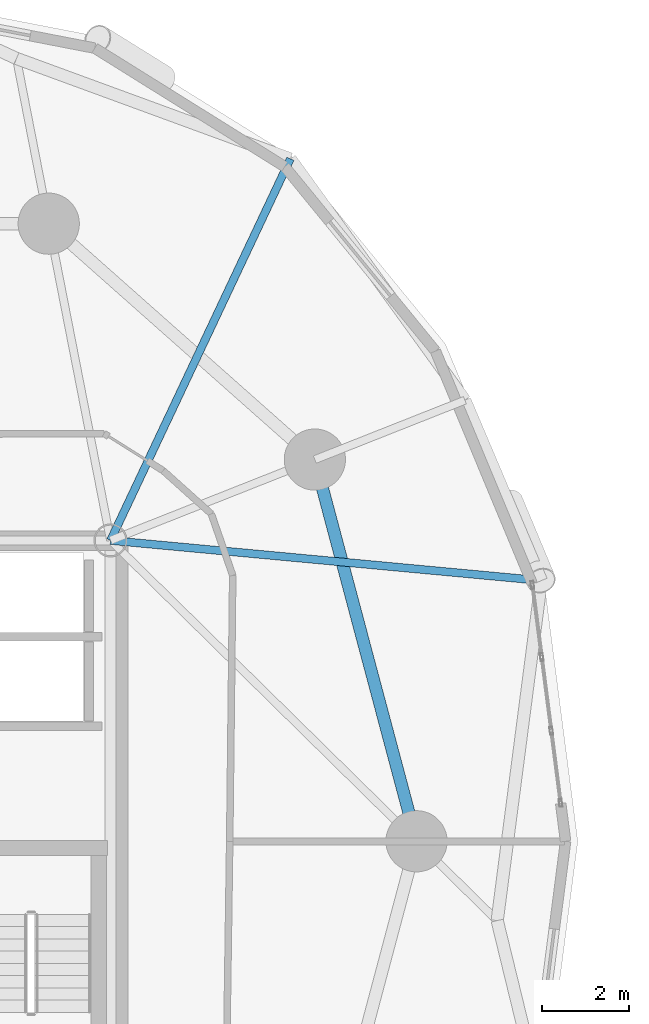
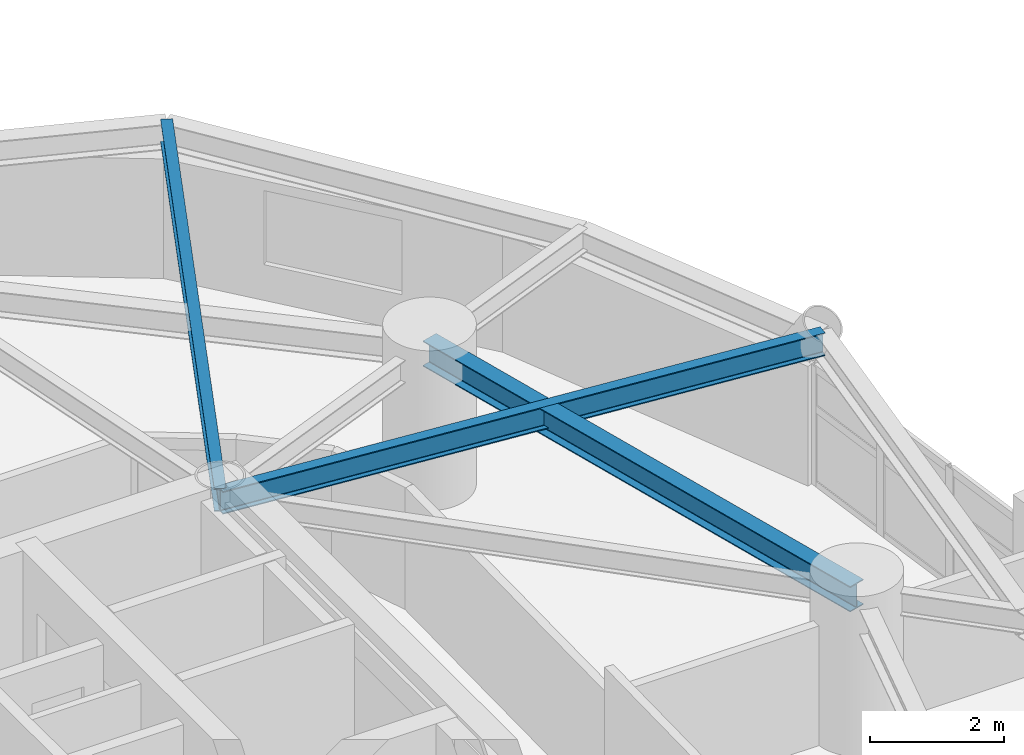
# One storey, part 3 of 16: 3 beams.
"""IFC4 building model written with IfcOpenShell, lengths in metres."""

import ifcopenshell
import ifcopenshell.guid

model = None  # the IFC model being written
_history = None  # IfcOwnerHistory: only IFC2X3 demands one
_inside = {}  # id of a spatial element -> (the spatial element, [elements in it])
_under = {}  # id of a project, library or spatial element -> (it, [spatial elements below it])
_declared = {}  # id of a project -> (the project, [libraries it declares])
_typed = {}  # id of a type object -> (the type object, [elements of that type])
_made_of = {}  # id of a material, layer set ... -> (it, [elements and type objects made of it])


def new_model(schema):
    """Start an empty IFC model of exactly this schema.

    Asked for "IFC4X3", IfcOpenShell would pick the latest addendum, in which some entities
    have other attributes; the version numbers below select the first issue.
    IFC2X3 requires an IfcOwnerHistory on every rooted entity: one is made here for all.
    """
    global model, _history
    if schema == "IFC4X3":
        model = ifcopenshell.file(schema_version=(4, 3, 0, 0))
    else:
        model = ifcopenshell.file(schema=schema)
    _inside.clear()
    _under.clear()
    _declared.clear()
    _typed.clear()
    _made_of.clear()
    _history = None
    if model.schema == "IFC2X3":
        org = make("IfcOrganization", Name="unknown")
        user = make(
            "IfcPersonAndOrganization",
            ThePerson=make("IfcPerson", FamilyName="unknown"),
            TheOrganization=org,
        )
        app = make(
            "IfcApplication",
            ApplicationDeveloper=org,
            Version="unknown",
            ApplicationFullName="unknown",
            ApplicationIdentifier="unknown",
        )
        _history = make(
            "IfcOwnerHistory",
            OwningUser=user,
            OwningApplication=app,
            ChangeAction="ADDED",
            CreationDate=0,
        )
    return model


def make(cls, **values):
    """One entity of the class cls with the attributes given. An attribute that is None is left unset."""
    return model.create_entity(
        cls, **{name: value for name, value in values.items() if value is not None}
    )


def rooted(cls, **values):
    """An entity with a GlobalId (a new one), such as an element, a storey or a relation."""
    return make(cls, GlobalId=ifcopenshell.guid.new(), OwnerHistory=_history, **values)


def si_unit(unit_type, name, prefix=None):
    """IfcSIUnit, for example si_unit("LENGTHUNIT", "METRE", prefix="MILLI")."""
    return make("IfcSIUnit", UnitType=unit_type, Prefix=prefix, Name=name)


def assignment(units):
    """IfcUnitAssignment: the units of a project."""
    return None if units is None else make("IfcUnitAssignment", Units=units)


def point(xyz):
    """IfcCartesianPoint."""
    return None if xyz is None else make("IfcCartesianPoint", Coordinates=xyz)


def direction(xyz):
    """IfcDirection."""
    return None if xyz is None else make("IfcDirection", DirectionRatios=xyz)


def frame(location, z_axis=None, x_axis=None):
    """IfcAxis2Placement3D, a coordinate frame: its origin and axes. An axis left out is left unset."""
    return make(
        "IfcAxis2Placement3D",
        Location=point(location),
        Axis=direction(z_axis),
        RefDirection=direction(x_axis),
    )


def frame_2d(location, x_axis=None):
    """IfcAxis2Placement2D, a coordinate frame in the plane: its origin and x axis."""
    return make(
        "IfcAxis2Placement2D", Location=point(location), RefDirection=direction(x_axis)
    )


def origin():
    """The frame at (0, 0, 0) with its axes left unset."""
    return frame((0.0, 0.0, 0.0))


def origin_2d():
    """The frame at (0, 0) in the plane with its x axis left unset."""
    return frame_2d((0.0, 0.0))


def place(relative_to, where):
    """IfcLocalPlacement: puts the frame where relative to a parent placement (None: the world)."""
    return make(
        "IfcLocalPlacement", PlacementRelTo=relative_to, RelativePlacement=where
    )


def context(
    kind, dimensions, precision=None, world=None, true_north=None, identifier=None
):
    """IfcGeometricRepresentationContext, for example the 3D "Model" context."""
    return make(
        "IfcGeometricRepresentationContext",
        ContextIdentifier=identifier,
        ContextType=kind,
        CoordinateSpaceDimension=dimensions,
        Precision=precision,
        WorldCoordinateSystem=world,
        TrueNorth=true_north,
    )


def subcontext(parent, identifier, kind, view, scale=None):
    """IfcGeometricRepresentationSubContext, for example "Body" below "Model"."""
    return make(
        "IfcGeometricRepresentationSubContext",
        ContextIdentifier=identifier,
        ContextType=kind,
        ParentContext=parent,
        TargetScale=scale,
        TargetView=view,
    )


def project(units=None, contexts=None):
    """IfcProject with its units and contexts."""
    return rooted(
        "IfcProject",
        Name="project",
        RepresentationContexts=contexts,
        UnitsInContext=assignment(units),
    )


def spatial(cls, under=None, at=None, **own):
    """A site, building, storey or space (cls), placed at a placement, below another one or the project."""
    s = rooted(cls, ObjectPlacement=at, **own)
    if under is not None:
        _under.setdefault(under.id(), (under, []))[1].append(s)
    return s


def profile(cls, at=None, kind="AREA", **sizes):
    """A parametric profile (cls). Its sizes go by their IFC names, for example OverallWidth=200.0."""
    return make(cls, ProfileType=kind, Position=at, **sizes)


def i_section(**sizes):
    """IfcIShapeProfileDef."""
    return profile("IfcIShapeProfileDef", **sizes)


def extrude(swept, where, along, depth):
    """IfcExtrudedAreaSolid: the profile swept, set in the frame where, extruded along a direction by depth."""
    return make(
        "IfcExtrudedAreaSolid",
        SweptArea=swept,
        Position=where,
        ExtrudedDirection=direction(along),
        Depth=depth,
    )


def shape(context_of_items, identifier, shape_type, items):
    """IfcShapeRepresentation: the items that make up one representation, for example the "Body"."""
    return make(
        "IfcShapeRepresentation",
        ContextOfItems=context_of_items,
        RepresentationIdentifier=identifier,
        RepresentationType=shape_type,
        Items=items,
    )


def material(Name=None, Category=None):
    """IfcMaterial."""
    return make("IfcMaterial", Name=Name, Category=Category)


def material_profile(
    of_material, cross_section, Name=None, Category=None, Priority=None
):
    """IfcMaterialProfile: a cross section and its material."""
    return make(
        "IfcMaterialProfile",
        Name=Name,
        Material=of_material,
        Profile=cross_section,
        Priority=Priority,
        Category=Category,
    )


def profile_set(profiles, Name=None, composite=None):
    """IfcMaterialProfileSet."""
    return make(
        "IfcMaterialProfileSet",
        Name=Name,
        MaterialProfiles=profiles,
        CompositeProfile=composite,
    )


def made_of(thing, what):
    """Note that an element or type object is made of a material, layer set ...; save() writes the relation."""
    if what is not None:
        _made_of.setdefault(what.id(), (what, []))[1].append(thing)
    return thing


def type_object(cls, material=None, **own):
    """A type object (cls), such as IfcWallType, which elements share."""
    return made_of(rooted(cls, **own), material)


def element(
    cls,
    number,
    at=None,
    inside=None,
    cuts=None,
    type_object=None,
    material=None,
    context=None,
    identifier="Body",
    shape_type=None,
    held_by="IfcProductDefinitionShape",
    body=None,
    shapes=None,
    **own,
):
    """One element of the class cls, such as IfcWall. Its Tag is "e" and its number.

    at: its placement. inside: the storey or other place that contains it. cuts: it is an
    opening in that element (IfcRelVoidsElement). A single representation is given by context,
    identifier, shape_type and body (its items); several are given by shapes. held_by: the class
    of the entity that holds the representations. save() writes the other relations.
    """
    e = rooted(cls, Tag="e%d" % number, ObjectPlacement=at, **own)
    if body is not None:
        shapes = [shape(context, identifier, shape_type, body)]
    if shapes is not None:
        e.Representation = make(held_by, Representations=shapes)
    if inside is not None:
        _inside.setdefault(inside.id(), (inside, []))[1].append(e)
    if cuts is not None:
        rooted(
            "IfcRelVoidsElement", RelatingBuildingElement=cuts, RelatedOpeningElement=e
        )
    if type_object is not None:
        _typed.setdefault(type_object.id(), (type_object, []))[1].append(e)
    return made_of(e, material)


def aggregate(whole, parts):
    """IfcRelAggregates: a whole, such as a stair, and the parts it consists of."""
    return rooted("IfcRelAggregates", RelatingObject=whole, RelatedObjects=parts)


def save(model, path):
    """Write the relations noted so far, then the file.

    IfcRelAggregates (storeys below a building ...), IfcRelContainedInSpatialStructure (elements
    in a storey), IfcRelDefinesByType, IfcRelAssociatesMaterial and IfcRelDeclares: one each for
    every whole, place, type object, material and project.
    """
    for whole, parts in _under.values():
        aggregate(whole, parts)
    for where, things in _inside.values():
        rooted(
            "IfcRelContainedInSpatialStructure",
            RelatedElements=things,
            RelatingStructure=where,
        )
    for kind, things in _typed.values():
        rooted("IfcRelDefinesByType", RelatedObjects=things, RelatingType=kind)
    for what, things in _made_of.values():
        rooted("IfcRelAssociatesMaterial", RelatedObjects=things, RelatingMaterial=what)
    for by, libraries in _declared.values():
        rooted("IfcRelDeclares", RelatingContext=by, RelatedDefinitions=libraries)
    model.write(path)


model = new_model("IFC4")

# Units and contexts
model_context = context("Model", 3, precision=1e-05, world=origin(), true_north=direction((0.0, 1.0)))
body_context = subcontext(model_context, "Body", "Model", "MODEL_VIEW")
ifc_project = project(units=[si_unit("LENGTHUNIT", "METRE"), si_unit("AREAUNIT", "SQUARE_METRE"), si_unit("VOLUMEUNIT", "CUBIC_METRE"), si_unit("PLANEANGLEUNIT", "RADIAN"), si_unit("MASSUNIT", "GRAM", prefix="KILO")], contexts=[model_context])

# Site, building, storey
site_placement = place(None, origin())
site = spatial("IfcSite", under=ifc_project, at=site_placement, CompositionType="ELEMENT")
building_placement = place(site_placement, origin())
building = spatial("IfcBuilding", under=site, at=building_placement, Name="Cununo Teusaquillo Station Towers", CompositionType="ELEMENT")
storey_placement = place(building_placement, frame((0.0, 0.0, 73.06005859375)))
storey = spatial("IfcBuildingStorey", under=building, at=storey_placement, Name="L22", CompositionType="ELEMENT", Elevation=73.06005859375)

# Beams
ifc_material_1 = material(Name="Steel ASTM A572 Grade 50", Category="steel")
ifc_material_profile_1 = material_profile(ifc_material_1, i_section(OverallWidth=0.180908203125, OverallDepth=0.4169921875, WebThickness=0.010986328125, FlangeThickness=0.018310546875, FilletRadius=0.012939453125, at=origin_2d()), Name="W16X57")
ifc_profile_set_1 = profile_set([ifc_material_profile_1], Name="Steel ASTM A572 Grade 50")
beam_type_1 = type_object("IfcBeamType", Name="BM-JOIST-1", PredefinedType="JOIST", material=ifc_profile_set_1)
beam_1_placement = place(storey_placement, frame((21.675048828125, 31.3798828125, 2.46142578125), z_axis=(0.995678537907, -0.09286683558, 0.0), x_axis=(0.09286683558, 0.995678537907, 0.0)))
element("IfcBeam", 1, at=beam_1_placement, inside=storey, type_object=beam_type_1, Name="L22 Tower A Radial Spandrel Joist V01", PredefinedType="JOIST", context=body_context, shape_type="SweptSolid", body=[
    extrude(i_section(OverallWidth=0.180908203125, OverallDepth=0.4169921875, WebThickness=0.010986328125, FlangeThickness=0.018310546875, FilletRadius=0.012939453125, at=origin_2d()), origin(), (0.0, 0.0, 1.0), 9.895263671875),
])
beam_2_placement = place(storey_placement, frame((21.675048828125, 31.3798828125, 2.46142578125), z_axis=(0.426319838016, 0.904572493344, 0.0), x_axis=(-0.904572493344, 0.426319838016, 0.0)))
element("IfcBeam", 2, at=beam_2_placement, inside=storey, type_object=beam_type_1, Name="L22 Tower A Radial Spandrel Joist V03", PredefinedType="JOIST", context=body_context, shape_type="SweptSolid", body=[
    extrude(i_section(OverallWidth=0.180908203125, OverallDepth=0.4169921875, WebThickness=0.010986328125, FlangeThickness=0.018310546875, FilletRadius=0.012939453125, at=origin_2d()), origin(), (0.0, 0.0, 1.0), 9.646728515625),
])
ifc_material_2 = material(Name="Steel ASTM A572 Grade 50", Category="steel")
ifc_material_profile_2 = material_profile(ifc_material_2, i_section(OverallWidth=0.280029296875, OverallDepth=0.462890625, WebThickness=0.0107421875, FlangeThickness=0.017333984375, FilletRadius=0.013916015625, at=origin_2d()), Name="W18X76")
ifc_profile_set_2 = profile_set([ifc_material_profile_2], Name="Steel ASTM A572 Grade 50")
beam_type_2 = type_object("IfcBeamType", Name="BM-RING-Z2", PredefinedType="SPANDREL", material=ifc_profile_set_2)
beam_3_placement = place(storey_placement, frame((28.672119140625, 24.5, 2.4384765625), z_axis=(-0.257363196347, 0.966314744359, 0.0), x_axis=(-0.966314744359, -0.257363196347, 0.0)))
element("IfcBeam", 3, at=beam_3_placement, inside=storey, type_object=beam_type_2, Name="L22 Tower A Structural Column Ring Girder 01", PredefinedType="SPANDREL", context=body_context, shape_type="SweptSolid", body=[
    extrude(i_section(OverallWidth=0.280029296875, OverallDepth=0.462890625, WebThickness=0.0107421875, FlangeThickness=0.017333984375, FilletRadius=0.013916015625, at=origin_2d()), origin(), (0.0, 0.0, 1.0), 9.03271484375),
])

save(model, "model.ifc")
